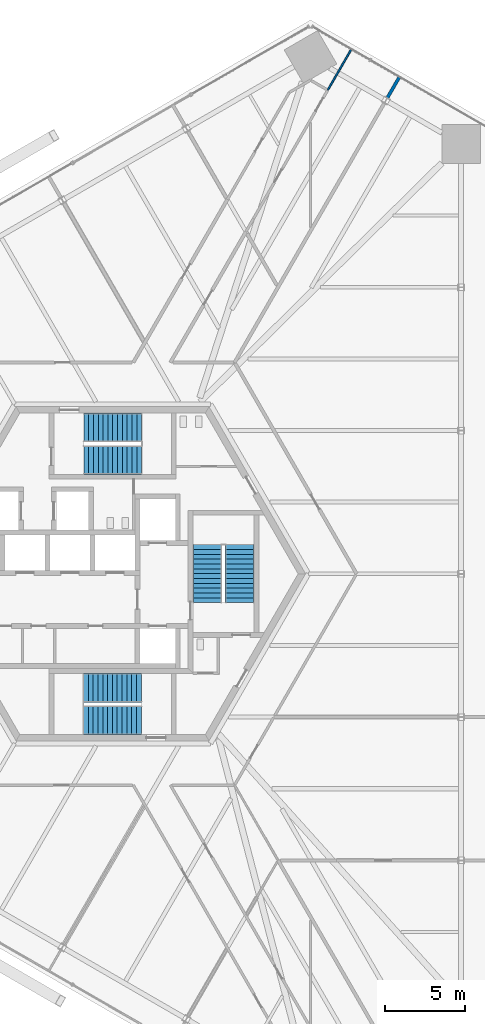
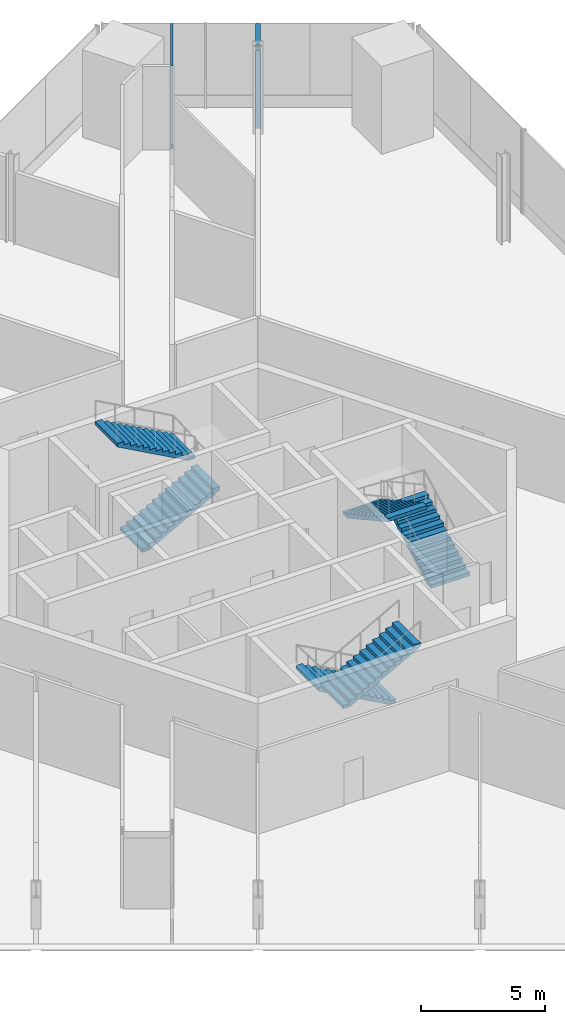
# One storey, part 14 of 16: 6 stair flights, 2 walls, 3 elements without a shape of their own.
"""IFC4 building model written with IfcOpenShell, lengths in metres."""

from ifc_helpers import new_model, si_unit, direction, frame, frame_2d, origin, place, context, subcontext, project, spatial, polyline, rectangle, outline, extrude, source, transform, mapped, material, layer, layer_set, type_object, element, aggregate, save


model = new_model("IFC4")

# Units and contexts
model_context = context("Model", 3, precision=1e-05, world=origin(), true_north=direction((0.0, 1.0)))
body_context = subcontext(model_context, "Body", "Model", "MODEL_VIEW")
ifc_project = project(units=[si_unit("LENGTHUNIT", "METRE"), si_unit("AREAUNIT", "SQUARE_METRE"), si_unit("VOLUMEUNIT", "CUBIC_METRE"), si_unit("PLANEANGLEUNIT", "RADIAN"), si_unit("MASSUNIT", "GRAM", prefix="KILO")], contexts=[model_context])

# Site, building, storey
site_placement = place(None, origin())
site = spatial("IfcSite", under=ifc_project, at=site_placement, CompositionType="ELEMENT")
building_placement = place(site_placement, origin())
building = spatial("IfcBuilding", under=site, at=building_placement, Name="Triune Harvest Tower", CompositionType="ELEMENT")
storey_placement = place(building_placement, frame((0.0, 0.0, 37.5)))
storey = spatial("IfcBuildingStorey", under=building, at=storey_placement, Name="L08", CompositionType="ELEMENT", Elevation=37.5)

# Walls
ifc_material_1 = material(Name="Gypsum board on steel studs", Category="steel")
ifc_layer_1 = layer(ifc_material_1, 0.10009765625)
ifc_layer_set_1 = layer_set([ifc_layer_1], Name="Gypsum board on steel studs")
wall_type_1 = type_object("IfcWallType", Name="Partition 100 mm", PredefinedType="PARTITIONING", material=ifc_layer_set_1)
wall_1_placement = place(storey_placement, frame((13.377685546875, 30.080810546875, 0.0), z_axis=(0.0, 0.0, 1.0), x_axis=(0.500005104963, 0.866022456413, 0.0)))
element("IfcWall", 1, at=wall_1_placement, inside=storey, type_object=wall_type_1, Name="Partition L08 053", PredefinedType="PARTITIONING", context=body_context, shape_type="SweptSolid", body=[
    extrude(rectangle(XDim=2.94091796875, YDim=0.10009765625, at=frame_2d((1.470458984375, 0.0))), origin(), (0.0, 0.0, 1.0), 4.10009765625),
])
ifc_material_2 = material(Name="Gypsum board on steel studs", Category="steel")
ifc_layer_2 = layer(ifc_material_2, 0.199951171875)
ifc_layer_set_2 = layer_set([ifc_layer_2], Name="Gypsum board on steel studs")
wall_type_2 = type_object("IfcWallType", Name="Fire Wall 200 mm", PredefinedType="PARTITIONING", material=ifc_layer_set_2)
shared_shape_1 = source(origin(), body_context, "Body", "SweptSolid", [
    extrude(rectangle(XDim=1.498779296875, YDim=0.199951171875, at=frame_2d((0.74951171875, 0.0))), origin(), (0.0, 0.0, 1.0), 4.10009765625),
])
wall_2_placement = place(storey_placement, frame((17.0908203125, 29.602294921875, 0.0), z_axis=(0.0, 0.0, 1.0), x_axis=(0.499905760005, 0.866079806435, 0.0)))
element("IfcWall", 2, at=wall_2_placement, inside=storey, type_object=wall_type_2, Name="Partition L08 048", PredefinedType="PARTITIONING", context=body_context, shape_type="MappedRepresentation", body=[
    mapped(shared_shape_1, transform((0.0, 0.0, 0.0), scale=1.0)),
])

# Stair, stair flights
ifc_material_3 = material(Name="Concrete 40 MPa", Category="concrete")
stair_type = type_object("IfcStairType", Name="Exit stair 1800 half turn", PredefinedType="HALF_TURN_STAIR", material=ifc_material_3)
stair_1_placement = place(storey_placement, origin())
stair_1 = element("IfcStair", 3, at=stair_1_placement, inside=storey, type_object=stair_type, Name="Exit stair north", PredefinedType="HALF_TURN_STAIR")
ifc_material_4 = material(Name="Concrete 40 MPa", Category="concrete")
stair_flight_type = type_object("IfcStairFlightType", Name="Stair flight 1800", PredefinedType="STRAIGHT", material=ifc_material_4)
shared_shape_2 = source(origin(), body_context, "Body", "SweptSolid", [
    extrude(outline(polyline([(0.0, 0.0), (0.0, 0.165283203125), (0.300048828125, 0.165283203125), (0.300048828125, 0.330810546875), (0.60009765625, 0.330810546875), (0.60009765625, 0.49609375), (0.89990234375, 0.49609375), (0.89990234375, 0.66162109375), (1.199951171875, 0.66162109375), (1.199951171875, 0.826904296875), (1.5, 0.826904296875), (1.5, 0.9921875), (1.800048828125, 0.9921875), (1.800048828125, 1.15771484375), (2.10009765625, 1.15771484375), (2.10009765625, 1.322998046875), (2.39990234375, 1.322998046875), (2.39990234375, 1.488525390625), (2.699951171875, 1.488525390625), (2.699951171875, 1.65380859375), (3.0, 1.65380859375), (3.0, 1.819091796875), (3.300048828125, 1.819091796875), (3.300048828125, 1.984619140625), (3.60009765625, 1.984619140625), (3.60009765625, 2.14990234375), (3.60009765625, 1.8134765625), (0.310546875, 0.0), (0.0, 0.0)])), frame((0.0, 0.89990234375, 0.0), z_axis=(0.0, -1.0, 0.0), x_axis=(1.0, 0.0, 0.0)), (0.0, 0.0, 1.0), 1.800048828125),
])
stair_flight_1_placement = place(storey_placement, frame((-1.7900390625, 7.090087890625, 0.0), z_axis=(0.0, 0.0, 1.0), x_axis=(1.0, 0.0, 0.0)))
stair_flight_1 = element("IfcStairFlight", 4, at=stair_flight_1_placement, type_object=stair_flight_type, Name="ST-1 flight 1", NumberOfRisers=13, NumberOfTreads=12, PredefinedType="STRAIGHT", RiserHeight=0.16538, TreadLength=0.3, context=body_context, shape_type="MappedRepresentation", body=[
    mapped(shared_shape_2, transform((0.0, 0.0, 0.0), scale=1.0)),
])
stair_flight_2_placement = place(storey_placement, frame((1.81005859375, 9.090087890625, 2.14990234375), z_axis=(0.0, 0.0, 1.0), x_axis=(-1.0, 0.0, 0.0)))
stair_flight_2 = element("IfcStairFlight", 5, at=stair_flight_2_placement, type_object=stair_flight_type, Name="ST-1 flight 2", NumberOfRisers=13, NumberOfTreads=12, PredefinedType="STRAIGHT", RiserHeight=0.16538, TreadLength=0.3, context=body_context, shape_type="MappedRepresentation", body=[
    mapped(shared_shape_2, transform((0.0, 0.0, 0.0), scale=1.0)),
])
aggregate(stair_1, [stair_flight_1, stair_flight_2])

stair_2_placement = place(storey_placement, origin())
stair_2 = element("IfcStair", 6, at=stair_2_placement, inside=storey, type_object=stair_type, Name="Exit stair south", PredefinedType="HALF_TURN_STAIR")
stair_flight_3_placement = place(storey_placement, frame((1.7900390625, -7.090087890625, 0.0), z_axis=(0.0, 0.0, 1.0), x_axis=(-1.0, 0.0, 0.0)))
stair_flight_3 = element("IfcStairFlight", 7, at=stair_flight_3_placement, type_object=stair_flight_type, Name="ST-2 flight 1", NumberOfRisers=13, NumberOfTreads=12, PredefinedType="STRAIGHT", RiserHeight=0.16538, TreadLength=0.3, context=body_context, shape_type="MappedRepresentation", body=[
    mapped(shared_shape_2, transform((0.0, 0.0, 0.0), scale=1.0)),
])
stair_flight_4_placement = place(storey_placement, frame((-1.81005859375, -9.090087890625, 2.14990234375), z_axis=(0.0, 0.0, 1.0), x_axis=(1.0, 0.0, 0.0)))
stair_flight_4 = element("IfcStairFlight", 8, at=stair_flight_4_placement, type_object=stair_flight_type, Name="ST-2 flight 2", NumberOfRisers=13, NumberOfTreads=12, PredefinedType="STRAIGHT", RiserHeight=0.16538, TreadLength=0.3, context=body_context, shape_type="MappedRepresentation", body=[
    mapped(shared_shape_2, transform((0.0, 0.0, 0.0), scale=1.0)),
])
aggregate(stair_2, [stair_flight_3, stair_flight_4])

stair_3_placement = place(storey_placement, origin())
stair_3 = element("IfcStair", 9, at=stair_3_placement, inside=storey, type_object=stair_type, Name="Exit stair east", PredefinedType="HALF_TURN_STAIR")
stair_flight_5_placement = place(storey_placement, frame((7.89990234375, -1.7900390625, 0.0), z_axis=(0.0, 0.0, 1.0), x_axis=(0.0, 1.0, 0.0)))
stair_flight_5 = element("IfcStairFlight", 10, at=stair_flight_5_placement, type_object=stair_flight_type, Name="ST-3 flight 1", NumberOfRisers=13, NumberOfTreads=12, PredefinedType="STRAIGHT", RiserHeight=0.16538, TreadLength=0.3, context=body_context, shape_type="MappedRepresentation", body=[
    mapped(shared_shape_2, transform((0.0, 0.0, 0.0), scale=1.0)),
])
stair_flight_6_placement = place(storey_placement, frame((5.89990234375, 1.81005859375, 2.14990234375), z_axis=(0.0, 0.0, 1.0), x_axis=(0.0, -1.0, 0.0)))
stair_flight_6 = element("IfcStairFlight", 11, at=stair_flight_6_placement, type_object=stair_flight_type, Name="ST-3 flight 2", NumberOfRisers=13, NumberOfTreads=12, PredefinedType="STRAIGHT", RiserHeight=0.16538, TreadLength=0.3, context=body_context, shape_type="MappedRepresentation", body=[
    mapped(shared_shape_2, transform((0.0, 0.0, 0.0), scale=1.0)),
])
aggregate(stair_3, [stair_flight_5, stair_flight_6])

save(model, "model.ifc")
